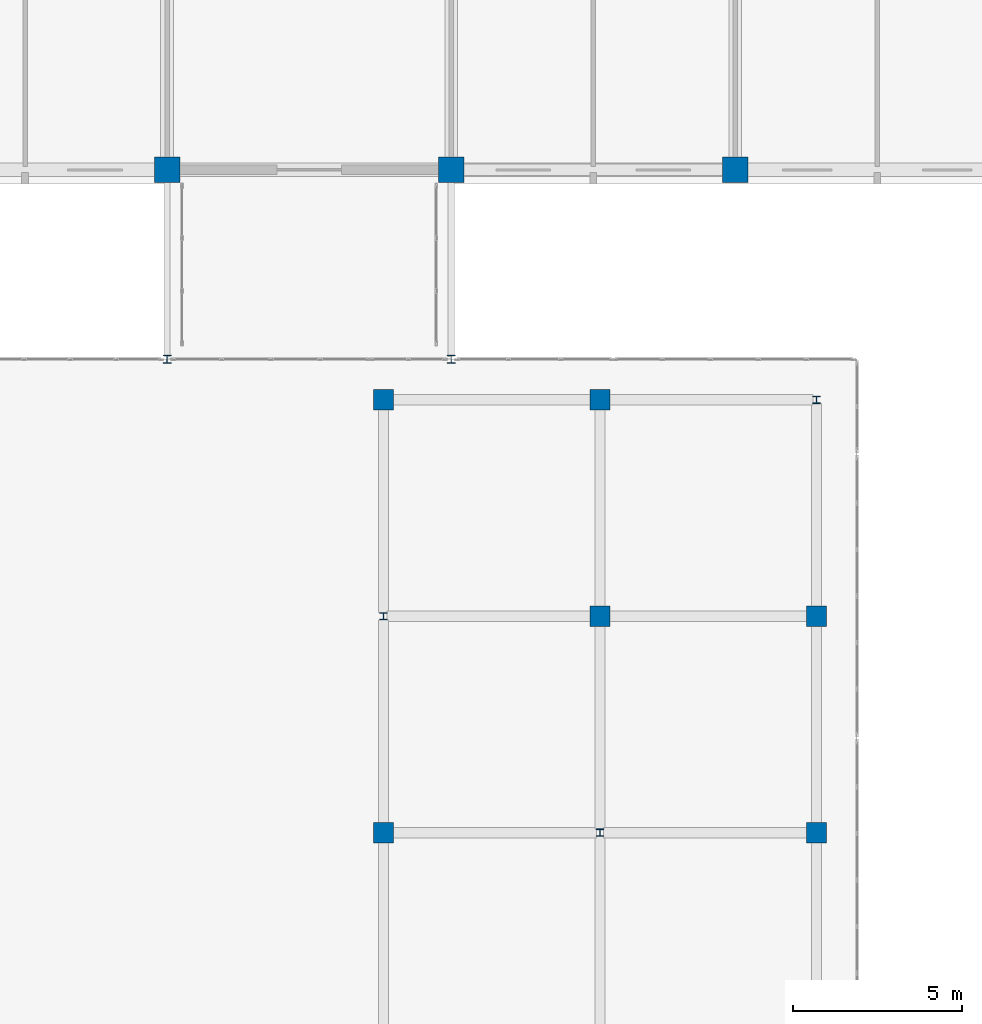
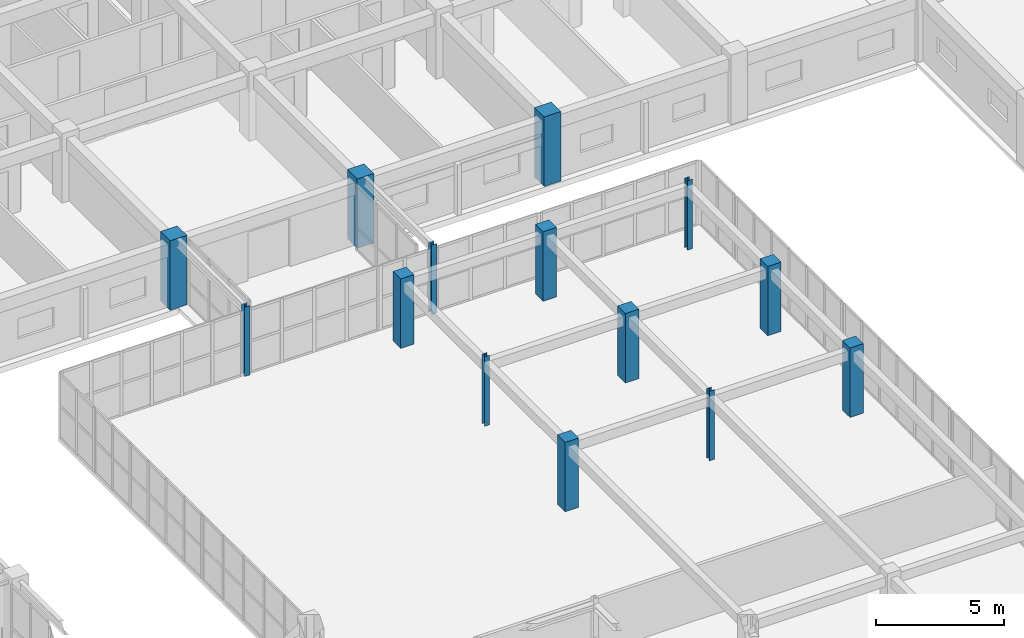
# One storey, part 20 of 200: 14 columns.
"""IFC4 building model written with IfcOpenShell, lengths in metres."""

from ifc_helpers import new_model, si_unit, direction, frame, origin, origin_2d, place, context, subcontext, project, spatial, rectangle, i_section, extrude, material, material_profile, profile_set, type_object, element, save


model = new_model("IFC4")

# Units and contexts
model_context = context("Model", 3, precision=1e-05, world=origin(), true_north=direction((0.0, 1.0)))
body_context = subcontext(model_context, "Body", "Model", "MODEL_VIEW")
ifc_project = project(units=[si_unit("LENGTHUNIT", "METRE"), si_unit("AREAUNIT", "SQUARE_METRE"), si_unit("VOLUMEUNIT", "CUBIC_METRE"), si_unit("PLANEANGLEUNIT", "RADIAN"), si_unit("MASSUNIT", "GRAM", prefix="KILO")], contexts=[model_context])

# Site, building, storey
site_placement = place(None, origin())
site = spatial("IfcSite", under=ifc_project, at=site_placement, CompositionType="ELEMENT")
building_placement = place(site_placement, origin())
building = spatial("IfcBuilding", under=site, at=building_placement, Name="Trelvath General Hospital", CompositionType="ELEMENT")
storey_placement = place(building_placement, frame((0.0, 0.0, 4.800048828125)))
storey = spatial("IfcBuildingStorey", under=building, at=storey_placement, Name="L01", CompositionType="ELEMENT", Elevation=4.800048828125)

# Columns
ifc_material_1 = material(Name="Steel S355", Category="steel")
ifc_material_profile_1 = material_profile(ifc_material_1, i_section(OverallWidth=0.239990234375, OverallDepth=0.22998046875, WebThickness=0.007568359375, FlangeThickness=0.011962890625, at=origin_2d()), Name="HEA240")
ifc_profile_set_1 = profile_set([ifc_material_profile_1], Name="Steel S355")
column_type_1 = type_object("IfcColumnType", Name="BridgeColumn HEA240", PredefinedType="COLUMN", material=ifc_profile_set_1)
for number, where, z_axis, x_axis, name in (
    (1, (100.800048828125, 86.800048828125, 0.0), (0.0, 0.0, 1.0), (1.0, 0.0, 0.0), "Bridge Portal Column BC-07 L01"),
    (2, (109.199951171875, 86.800048828125, 0.0), (0.0, 0.0, 1.0), (1.0, 0.0, 0.0), "Bridge Portal Column BC-08 L01"),
):
    element("IfcColumn", number, at=place(storey_placement, frame(where, z_axis=z_axis, x_axis=x_axis)), inside=storey, type_object=column_type_1, Name=name, PredefinedType="COLUMN", context=body_context, shape_type="SweptSolid", body=[
        extrude(i_section(OverallWidth=0.239990234375, OverallDepth=0.22998046875, WebThickness=0.007568359375, FlangeThickness=0.011962890625, at=origin_2d()), origin(), (0.0, 0.0, 1.0), 3.300048828125),
    ])
ifc_material_2 = material(Name="Concrete C40/50", Category="concrete")
ifc_material_profile_2 = material_profile(ifc_material_2, rectangle(XDim=0.60009765625, YDim=0.60009765625, at=origin_2d()), Name="RC600x600")
ifc_profile_set_2 = profile_set([ifc_material_profile_2], Name="Concrete C40/50")
column_type_2 = type_object("IfcColumnType", Name="Column RC600", PredefinedType="COLUMN", material=ifc_profile_set_2)
for number, where, z_axis, x_axis, name in (
    (3, (107.199951171875, 72.800048828125, 0.0), (0.0, 0.0, 1.0), (1.0, 0.0, 0.0), "Cube Interior Column CC-E05 L01"),
    (4, (107.199951171875, 85.60009765625, 0.0), (0.0, 0.0, 1.0), (1.0, 0.0, 0.0), "Cube Interior Column CC-E07 L01"),
    (5, (113.60009765625, 79.199951171875, 0.0), (0.0, 0.0, 1.0), (1.0, 0.0, 0.0), "Cube Interior Column CC-E13 L01"),
    (6, (113.60009765625, 85.60009765625, 0.0), (0.0, 0.0, 1.0), (1.0, 0.0, 0.0), "Cube Interior Column CC-E14 L01"),
    (7, (120.0, 72.800048828125, 0.0), (0.0, 0.0, 1.0), (1.0, 0.0, 0.0), "Cube Interior Column CC-E19 L01"),
    (8, (120.0, 79.199951171875, 0.0), (0.0, 0.0, 1.0), (1.0, 0.0, 0.0), "Cube Interior Column CC-E20 L01"),
):
    element("IfcColumn", number, at=place(storey_placement, frame(where, z_axis=z_axis, x_axis=x_axis)), inside=storey, type_object=column_type_2, Name=name, PredefinedType="COLUMN", context=body_context, shape_type="SweptSolid", body=[
        extrude(rectangle(XDim=0.60009765625, YDim=0.60009765625, at=origin_2d()), origin(), (0.0, 0.0, 1.0), 3.300048828125),
    ])
ifc_material_3 = material(Name="Concrete C40/50", Category="concrete")
ifc_material_profile_3 = material_profile(ifc_material_3, rectangle(XDim=0.75, YDim=0.75, at=origin_2d()), Name="RC750x750")
ifc_profile_set_3 = profile_set([ifc_material_profile_3], Name="Concrete C40/50")
column_type_3 = type_object("IfcColumnType", Name="Column RC750", PredefinedType="COLUMN", material=ifc_profile_set_3)
for number, where, z_axis, x_axis, name in (
    (9, (100.800048828125, 92.39990234375, 0.0), (0.0, 0.0, 1.0), (1.0, 0.0, 0.0), "Column C-13L L01"),
    (10, (109.199951171875, 92.39990234375, 0.0), (0.0, 0.0, 1.0), (1.0, 0.0, 0.0), "Column C-14L L01"),
    (11, (117.60009765625, 92.39990234375, 0.0), (0.0, 0.0, 1.0), (1.0, 0.0, 0.0), "Column C-15L L01"),
):
    element("IfcColumn", number, at=place(storey_placement, frame(where, z_axis=z_axis, x_axis=x_axis)), inside=storey, type_object=column_type_3, Name=name, PredefinedType="COLUMN", context=body_context, shape_type="SweptSolid", body=[
        extrude(rectangle(XDim=0.75, YDim=0.75, at=origin_2d()), origin(), (0.0, 0.0, 1.0), 3.300048828125),
    ])
ifc_material_4 = material(Name="Steel S355", Category="steel")
ifc_material_profile_4 = material_profile(ifc_material_4, i_section(OverallWidth=0.219970703125, OverallDepth=0.219970703125, WebThickness=0.009521484375, FlangeThickness=0.01611328125, at=origin_2d()), Name="HEB220")
ifc_profile_set_4 = profile_set([ifc_material_profile_4], Name="Steel S355")
column_type_4 = type_object("IfcColumnType", Name="CubePost HEB220", PredefinedType="COLUMN", material=ifc_profile_set_4)
for number, where, z_axis, x_axis, name in (
    (12, (107.199951171875, 79.199951171875, 0.0), (0.0, 0.0, 1.0), (1.0, 0.0, 0.0), "Cube Interior Column CC-E06 L01"),
    (13, (113.60009765625, 72.800048828125, 0.0), (0.0, 0.0, 1.0), (1.0, 0.0, 0.0), "Cube Interior Column CC-E12 L01"),
    (14, (120.0, 85.60009765625, 0.0), (0.0, 0.0, 1.0), (1.0, 0.0, 0.0), "Cube Interior Column CC-E21 L01"),
):
    element("IfcColumn", number, at=place(storey_placement, frame(where, z_axis=z_axis, x_axis=x_axis)), inside=storey, type_object=column_type_4, Name=name, PredefinedType="COLUMN", context=body_context, shape_type="SweptSolid", body=[
        extrude(i_section(OverallWidth=0.219970703125, OverallDepth=0.219970703125, WebThickness=0.009521484375, FlangeThickness=0.01611328125, at=origin_2d()), origin(), (0.0, 0.0, 1.0), 3.300048828125),
    ])

save(model, "model.ifc")
